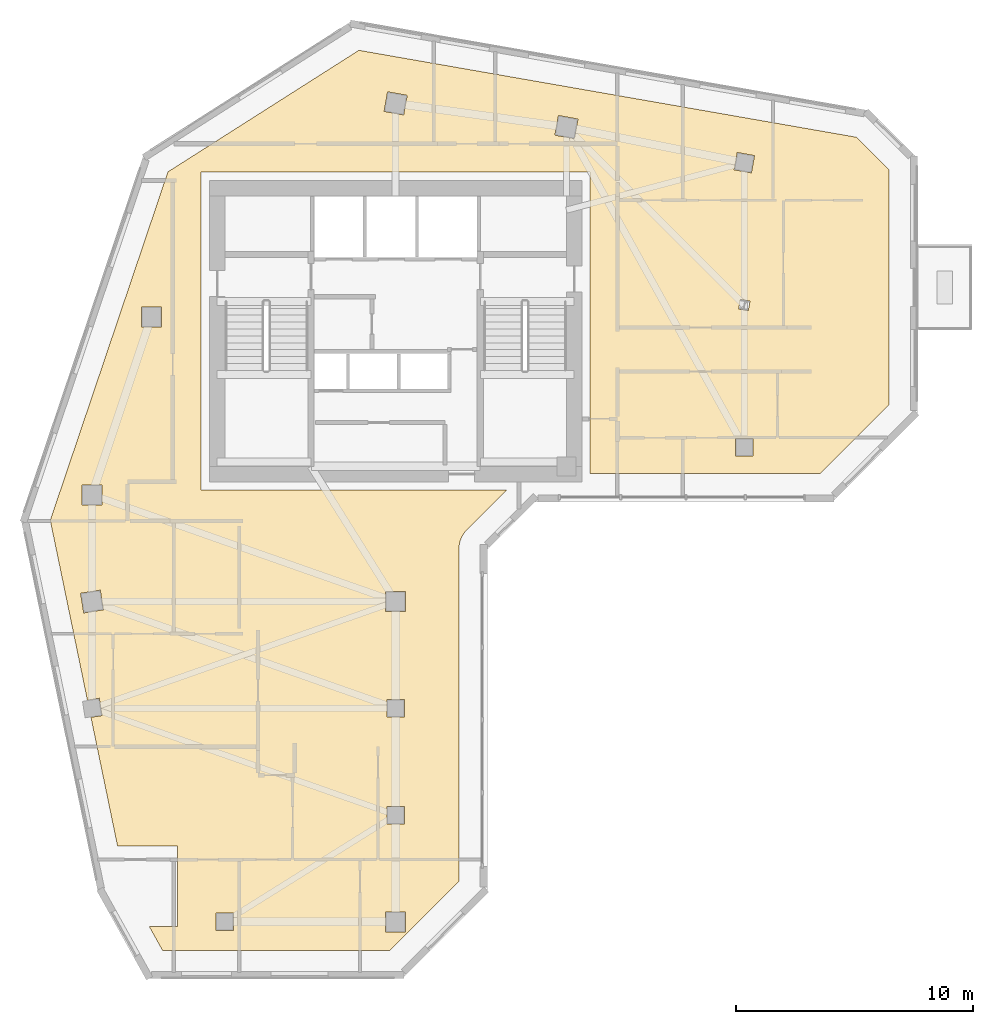
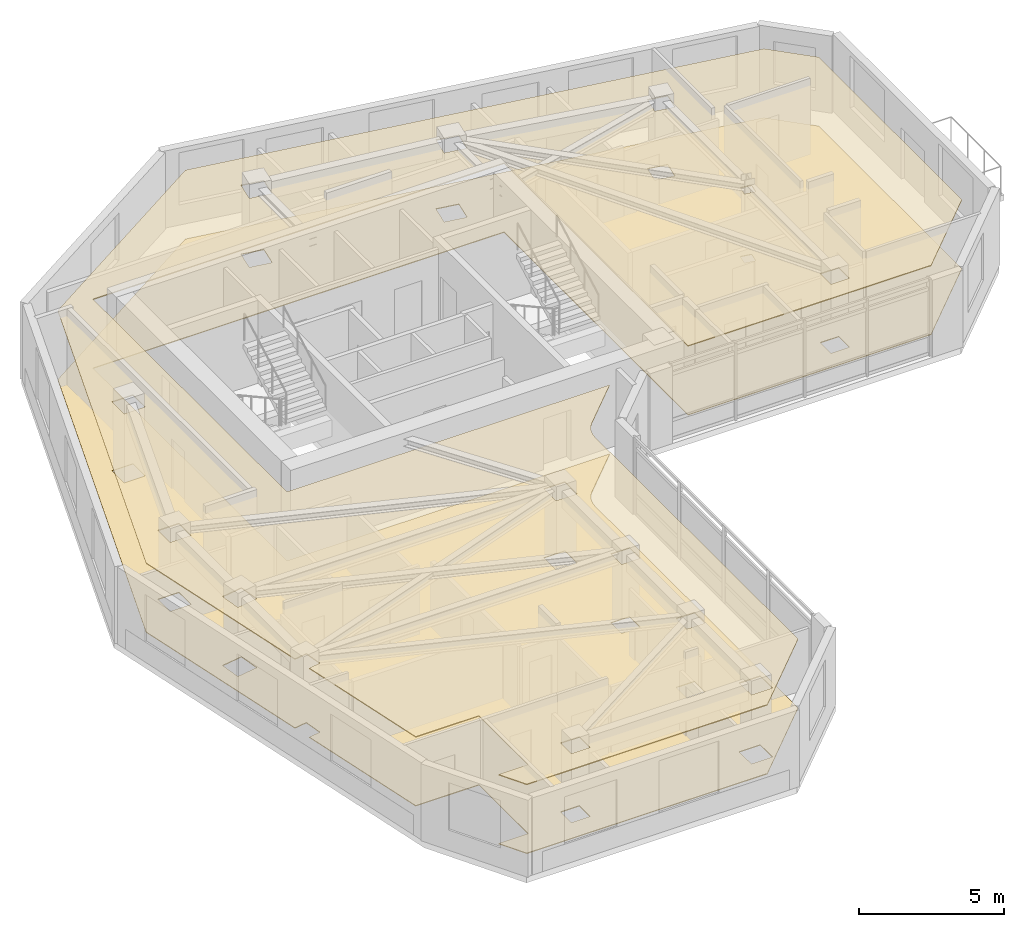
# One storey, part 9 of 10: 2 coverings.
"""IFC4 building model written with IfcOpenShell, lengths in metres."""

from ifc_helpers import new_model, si_unit, direction, frame, origin, place, context, subcontext, project, spatial, polyline, outline, extrude, material, layer, layer_set, type_object, element, save


model = new_model("IFC4")

# Units and contexts
model_context = context("Model", 3, precision=1e-05, world=origin(), true_north=direction((0.0, 1.0)))
body_context = subcontext(model_context, "Body", "Model", "MODEL_VIEW")
ifc_project = project(units=[si_unit("LENGTHUNIT", "METRE"), si_unit("AREAUNIT", "SQUARE_METRE"), si_unit("VOLUMEUNIT", "CUBIC_METRE"), si_unit("PLANEANGLEUNIT", "RADIAN"), si_unit("MASSUNIT", "GRAM", prefix="KILO")], contexts=[model_context])

# Site, building, storey
site_placement = place(None, origin())
site = spatial("IfcSite", under=ifc_project, at=site_placement, CompositionType="ELEMENT")
building_placement = place(site_placement, origin())
building = spatial("IfcBuilding", under=site, at=building_placement, Name="Calvemar Wedge Station Tower", CompositionType="ELEMENT")
storey_placement = place(building_placement, frame((0.0, 0.0, 221.89990234375)))
storey = spatial("IfcBuildingStorey", under=building, at=storey_placement, Name="L56", CompositionType="ELEMENT", Elevation=221.89990234375)

# Coverings
ifc_material_1 = material(Name="Moisture-resistant gypsum ceiling")
ifc_layer_1 = layer(ifc_material_1, 0.0400390625)
ifc_layer_set_1 = layer_set([ifc_layer_1], Name="Moisture-resistant gypsum ceiling")
covering_type_1 = type_object("IfcCoveringType", Name="COV-CEIL-GYPSUM", PredefinedType="CEILING", material=ifc_layer_set_1)
covering_1_placement = place(storey_placement, frame((0.0, 0.0, 2.900146484375)))
element("IfcCovering", 1, at=covering_1_placement, inside=storey, type_object=covering_type_1, Name="Storey L56 Acoustic Suspended Ceiling", PredefinedType="CEILING", context=body_context, shape_type="SweptSolid", body=[
    extrude(outline(polyline([(26.666259765625, 31.358642578125), (26.736328125, 31.453369140625), (26.8154296875, 31.54052734375), (28.474853515625, 33.199951171875), (15.60009765625, 33.199951171875), (15.60009765625, 46.60009765625), (32.0, 46.60009765625), (32.0, 33.89208984375), (41.702880859375, 33.89208984375), (44.60009765625, 36.7890625), (44.60009765625, 46.69482421875), (43.2197265625, 48.0751953125), (22.251708984375, 51.73779296875), (14.201416015625, 46.614990234375), (9.240966796875, 31.92431640625), (10.806884765625, 24.34375), (11.306884765625, 24.423828125), (11.423828125, 23.693115234375), (10.956787109375, 23.618408203125), (12.076171875, 18.199951171875), (14.60009765625, 18.199951171875), (14.60009765625, 14.800048828125), (13.41455078125, 14.800048828125), (13.97021484375, 13.800048828125), (23.56689453125, 13.800048828125), (26.464111328125, 16.697021484375), (26.464111328125, 30.69189453125), (26.4697265625, 30.8095703125), (26.487060546875, 30.926025390625), (26.515625, 31.040283203125), (26.555419921875, 31.151123046875), (26.605712890625, 31.2578125), (26.666259765625, 31.358642578125)]), holes=[polyline([(11.419921875, 33.419921875), (11.419921875, 32.580078125), (10.580078125, 32.580078125), (10.580078125, 33.419921875), (11.419921875, 33.419921875)]), polyline([(13.919921875, 40.080078125), (13.080078125, 40.080078125), (13.080078125, 40.919921875), (13.919921875, 40.919921875), (13.919921875, 40.080078125)]), polyline([(23.312255859375, 49.160888671875), (23.4609375, 49.98779296875), (24.28759765625, 49.839111328125), (24.138916015625, 49.01220703125), (23.312255859375, 49.160888671875)]), polyline([(30.660888671875, 48.98779296875), (31.48779296875, 48.839111328125), (31.339111328125, 48.01220703125), (30.51220703125, 48.160888671875), (30.660888671875, 48.98779296875)]), polyline([(38.9296875, 47.298583984375), (38.798583984375, 46.5703125), (38.0703125, 46.701416015625), (38.201416015625, 47.4296875), (38.9296875, 47.298583984375)]), polyline([(38.8701171875, 34.6298828125), (38.1298828125, 34.6298828125), (38.1298828125, 35.3701171875), (38.8701171875, 35.3701171875), (38.8701171875, 34.6298828125)]), polyline([(38.259765625, 40.833984375), (38.332763671875, 41.239501953125), (38.740234375, 41.166015625), (38.667236328125, 40.760498046875), (38.259765625, 40.833984375)]), polyline([(11.348388671875, 28.981201171875), (11.481201171875, 28.151611328125), (10.651611328125, 28.018798828125), (10.518798828125, 28.848388671875), (11.348388671875, 28.981201171875)]), polyline([(24.219970703125, 28.080078125), (23.3798828125, 28.080078125), (23.3798828125, 28.919921875), (24.219970703125, 28.919921875), (24.219970703125, 28.080078125)]), polyline([(23.429931640625, 23.6298828125), (23.429931640625, 24.3701171875), (24.169921875, 24.3701171875), (24.169921875, 23.6298828125), (23.429931640625, 23.6298828125)]), polyline([(23.429931640625, 19.8701171875), (24.169921875, 19.8701171875), (24.169921875, 19.1298828125), (23.429931640625, 19.1298828125), (23.429931640625, 19.8701171875)]), polyline([(24.219970703125, 15.419921875), (24.219970703125, 14.580078125), (23.3798828125, 14.580078125), (23.3798828125, 15.419921875), (24.219970703125, 15.419921875)]), polyline([(16.969970703125, 14.6298828125), (16.22998046875, 14.6298828125), (16.22998046875, 15.3701171875), (16.969970703125, 15.3701171875), (16.969970703125, 14.6298828125)])]), origin(), (0.0, 0.0, 1.0), 0.0400390625),
])
ifc_material_2 = material(Name="Honed coastal granite stone tile", Category="masonry")
ifc_layer_2 = layer(ifc_material_2, 0.030029296875)
ifc_layer_set_2 = layer_set([ifc_layer_2], Name="Honed coastal granite stone tile")
covering_type_2 = type_object("IfcCoveringType", Name="COV-FLR-STONE", PredefinedType="FLOORING", material=ifc_layer_set_2)
covering_2_placement = place(storey_placement, origin())
element("IfcCovering", 2, at=covering_2_placement, inside=storey, type_object=covering_type_2, Name="Storey L56 Architectural Floor Finish", PredefinedType="FLOORING", context=body_context, shape_type="SweptSolid", body=[
    extrude(outline(polyline([(26.666259765625, 31.358642578125), (26.736328125, 31.453369140625), (26.8154296875, 31.54052734375), (28.474853515625, 33.199951171875), (15.60009765625, 33.199951171875), (15.60009765625, 46.60009765625), (32.0, 46.60009765625), (32.0, 33.89208984375), (41.702880859375, 33.89208984375), (44.60009765625, 36.7890625), (44.60009765625, 46.69482421875), (43.2197265625, 48.0751953125), (22.251708984375, 51.73779296875), (14.201416015625, 46.614990234375), (9.240966796875, 31.92431640625), (10.806884765625, 24.34375), (11.306884765625, 24.423828125), (11.423828125, 23.693115234375), (10.956787109375, 23.618408203125), (12.076171875, 18.199951171875), (14.60009765625, 18.199951171875), (14.60009765625, 14.800048828125), (13.41455078125, 14.800048828125), (13.97021484375, 13.800048828125), (23.56689453125, 13.800048828125), (26.464111328125, 16.697021484375), (26.464111328125, 30.69189453125), (26.4697265625, 30.8095703125), (26.487060546875, 30.926025390625), (26.515625, 31.040283203125), (26.555419921875, 31.151123046875), (26.605712890625, 31.2578125), (26.666259765625, 31.358642578125)]), holes=[polyline([(11.419921875, 33.419921875), (11.419921875, 32.580078125), (10.580078125, 32.580078125), (10.580078125, 33.419921875), (11.419921875, 33.419921875)]), polyline([(13.919921875, 40.080078125), (13.080078125, 40.080078125), (13.080078125, 40.919921875), (13.919921875, 40.919921875), (13.919921875, 40.080078125)]), polyline([(23.312255859375, 49.160888671875), (23.4609375, 49.98779296875), (24.28759765625, 49.839111328125), (24.138916015625, 49.01220703125), (23.312255859375, 49.160888671875)]), polyline([(30.660888671875, 48.98779296875), (31.48779296875, 48.839111328125), (31.339111328125, 48.01220703125), (30.51220703125, 48.160888671875), (30.660888671875, 48.98779296875)]), polyline([(38.9296875, 47.298583984375), (38.798583984375, 46.5703125), (38.0703125, 46.701416015625), (38.201416015625, 47.4296875), (38.9296875, 47.298583984375)]), polyline([(38.8701171875, 34.6298828125), (38.1298828125, 34.6298828125), (38.1298828125, 35.3701171875), (38.8701171875, 35.3701171875), (38.8701171875, 34.6298828125)]), polyline([(38.259765625, 40.833984375), (38.332763671875, 41.239501953125), (38.740234375, 41.166015625), (38.667236328125, 40.760498046875), (38.259765625, 40.833984375)]), polyline([(11.348388671875, 28.981201171875), (11.481201171875, 28.151611328125), (10.651611328125, 28.018798828125), (10.518798828125, 28.848388671875), (11.348388671875, 28.981201171875)]), polyline([(24.219970703125, 28.080078125), (23.3798828125, 28.080078125), (23.3798828125, 28.919921875), (24.219970703125, 28.919921875), (24.219970703125, 28.080078125)]), polyline([(23.429931640625, 23.6298828125), (23.429931640625, 24.3701171875), (24.169921875, 24.3701171875), (24.169921875, 23.6298828125), (23.429931640625, 23.6298828125)]), polyline([(23.429931640625, 19.8701171875), (24.169921875, 19.8701171875), (24.169921875, 19.1298828125), (23.429931640625, 19.1298828125), (23.429931640625, 19.8701171875)]), polyline([(24.219970703125, 15.419921875), (24.219970703125, 14.580078125), (23.3798828125, 14.580078125), (23.3798828125, 15.419921875), (24.219970703125, 15.419921875)]), polyline([(16.969970703125, 14.6298828125), (16.22998046875, 14.6298828125), (16.22998046875, 15.3701171875), (16.969970703125, 15.3701171875), (16.969970703125, 14.6298828125)])]), origin(), (0.0, 0.0, 1.0), 0.030029296875),
])

save(model, "model.ifc")
